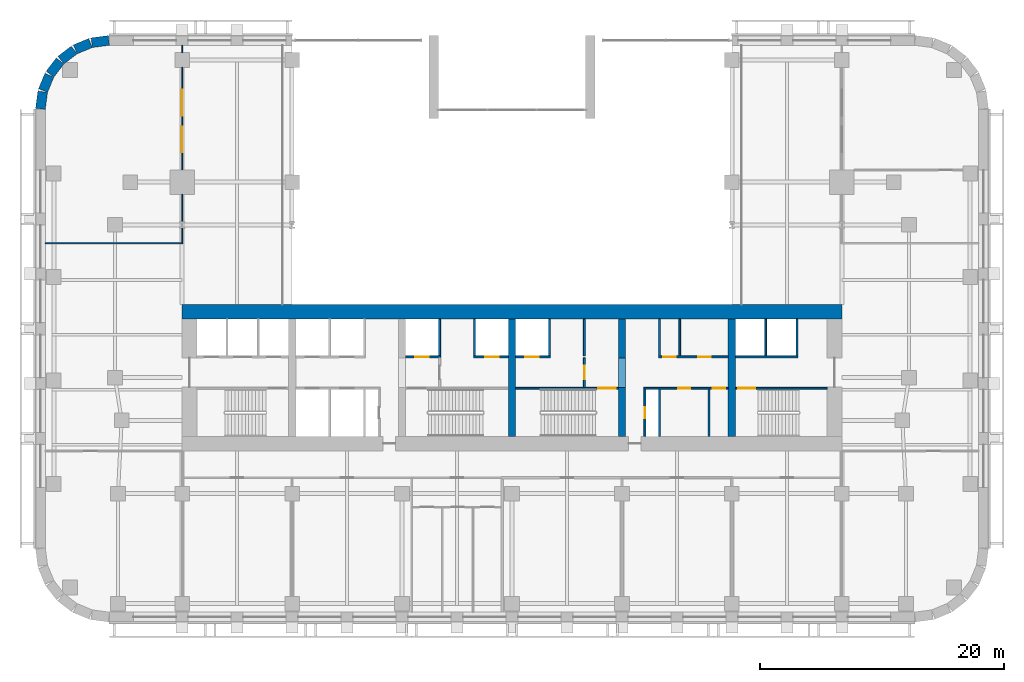
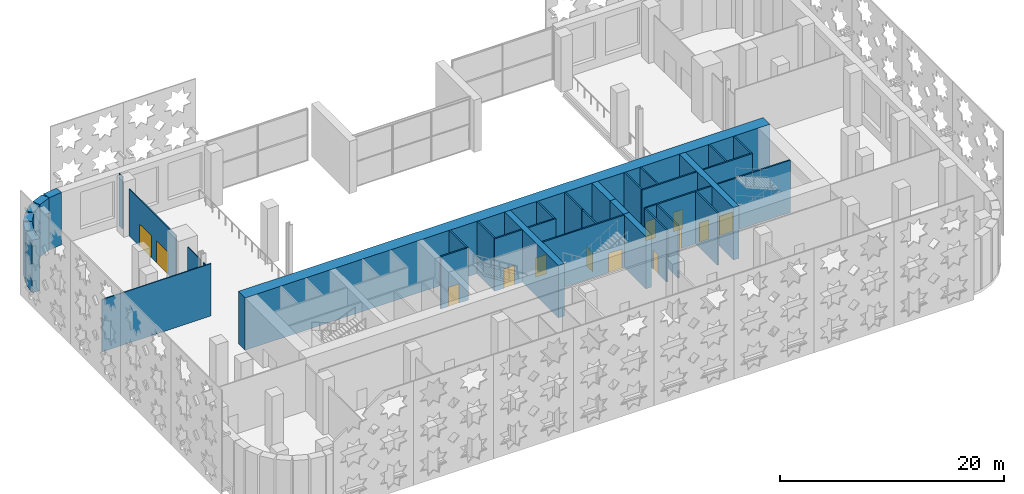
# One storey, part 7 of 17: 37 walls, 13 doors, 13 openings.
"""IFC4 building model written with IfcOpenShell, lengths in metres."""

from ifc_helpers import new_model, si_unit, direction, frame, frame_2d, origin, place, context, subcontext, project, spatial, rectangle, extrude, material, layer, layer_set, type_object, element, fill, save


model = new_model("IFC4")

# Units and contexts
model_context = context("Model", 3, precision=1e-05, world=origin(), true_north=direction((0.0, 1.0)))
body_context = subcontext(model_context, "Body", "Model", "MODEL_VIEW")
ifc_project = project(units=[si_unit("LENGTHUNIT", "METRE"), si_unit("AREAUNIT", "SQUARE_METRE"), si_unit("VOLUMEUNIT", "CUBIC_METRE"), si_unit("PLANEANGLEUNIT", "RADIAN"), si_unit("MASSUNIT", "GRAM", prefix="KILO")], contexts=[model_context])

# Site, building, storey
site_placement = place(None, origin())
site = spatial("IfcSite", under=ifc_project, at=site_placement, CompositionType="ELEMENT")
building_placement = place(site_placement, origin())
building = spatial("IfcBuilding", under=site, at=building_placement, Name="Zellij Exchange Tower", CompositionType="ELEMENT")
storey_placement = place(building_placement, frame((0.0, 0.0, 9.0)))
storey = spatial("IfcBuildingStorey", under=building, at=storey_placement, Name="L01", CompositionType="ELEMENT", Elevation=9.0)

# Walls
ifc_material_1 = material(Name="Concrete C70/85", Category="concrete")
ifc_layer_1 = layer(ifc_material_1, 0.60009765625)
ifc_layer_set_1 = layer_set([ifc_layer_1], Name="Concrete C70/85")
wall_type_1 = type_object("IfcWallType", Name="CORE-CW 600 C70/85", PredefinedType="SHEAR", material=ifc_layer_set_1)
wall_1_placement = place(storey_placement, frame((0.0, -12.800048828125, 0.0), z_axis=(0.0, 0.0, 1.0), x_axis=(0.0, 1.0, 0.0)))
element("IfcWall", 1, at=wall_1_placement, inside=storey, type_object=wall_type_1, Name="Core cross wall x 0 L01", PredefinedType="SHEAR", context=body_context, shape_type="SweptSolid", body=[
    extrude(rectangle(XDim=9.60009765625, YDim=0.60009765625, at=frame_2d((4.800048828125, 0.0))), origin(), (0.0, 0.0, 1.0), 5.699951171875),
])
wall_2_placement = place(storey_placement, frame((9.0, -12.800048828125, 0.0), z_axis=(0.0, 0.0, 1.0), x_axis=(0.0, 1.0, 0.0)))
element("IfcWall", 2, at=wall_2_placement, inside=storey, type_object=wall_type_1, Name="Core cross wall pier x 9 a L01", PredefinedType="SHEAR", context=body_context, shape_type="SweptSolid", body=[
    extrude(rectangle(XDim=4.0, YDim=0.60009765625, at=frame_2d((2.0, 0.0))), origin(), (0.0, 0.0, 1.0), 5.699951171875),
])
wall_3_placement = place(storey_placement, frame((9.0, -6.375, 0.0), z_axis=(0.0, 0.0, 1.0), x_axis=(0.0, 1.0, 0.0)))
element("IfcWall", 3, at=wall_3_placement, inside=storey, type_object=wall_type_1, Name="Core cross wall pier x 9 b L01", PredefinedType="SHEAR", context=body_context, shape_type="SweptSolid", body=[
    extrude(rectangle(XDim=3.175048828125, YDim=0.60009765625, at=frame_2d((1.58740234375, 0.0))), origin(), (0.0, 0.0, 1.0), 5.699951171875),
])
wall_4_placement = place(storey_placement, frame((9.0, -8.800048828125, 3.60009765625), z_axis=(0.0, 0.0, 1.0), x_axis=(0.0, 1.0, 0.0)))
element("IfcWall", 4, at=wall_4_placement, inside=storey, type_object=wall_type_1, Name="Core cross wall over opening x 9 L01", PredefinedType="SHEAR", context=body_context, shape_type="SweptSolid", body=[
    extrude(rectangle(XDim=2.425048828125, YDim=0.60009765625, at=frame_2d((1.21240234375, 0.0))), origin(), (0.0, 0.0, 1.0), 2.099853515625),
])
wall_5_placement = place(storey_placement, frame((18.0, -12.800048828125, 0.0), z_axis=(0.0, 0.0, 1.0), x_axis=(0.0, 1.0, 0.0)))
element("IfcWall", 5, at=wall_5_placement, inside=storey, type_object=wall_type_1, Name="Core cross wall x 18 L01", PredefinedType="SHEAR", context=body_context, shape_type="SweptSolid", body=[
    extrude(rectangle(XDim=9.60009765625, YDim=0.60009765625, at=frame_2d((4.800048828125, 0.0))), origin(), (0.0, 0.0, 1.0), 5.699951171875),
])

# Wall, opening, door
ifc_material_2 = material(Name="Gypsum shaft wall system")
ifc_layer_2 = layer(ifc_material_2, 0.14990234375)
ifc_layer_set_2 = layer_set([ifc_layer_2], Name="Gypsum shaft wall system")
wall_type_2 = type_object("IfcWallType", Name="CORE-PW 150 Firefighting lobby wall", PredefinedType="PARTITIONING", material=ifc_layer_set_2)
wall_6_placement = place(storey_placement, frame((5.925048828125, -8.800048828125, 0.0), z_axis=(0.0, 0.0, 1.0), x_axis=(0.0, 1.0, 0.0)))
wall_6 = element("IfcWall", 6, at=wall_6_placement, inside=storey, type_object=wall_type_2, Name="Firefighting lobby wall L01", PredefinedType="PARTITIONING", context=body_context, shape_type="SweptSolid", body=[
    extrude(rectangle(XDim=2.425048828125, YDim=0.14990234375, at=frame_2d((1.21240234375, 0.0))), origin(), (0.0, 0.0, 1.0), 5.699951171875),
])
opening_1_placement = place(wall_6_placement, frame((0.662109375, 0.0, 0.0)))
opening_1 = element("IfcOpeningElement", 7, at=opening_1_placement, cuts=wall_6, Name="Opening CA-04.17", PredefinedType="OPENING", context=body_context, shape_type="SweptSolid", body=[
    extrude(rectangle(XDim=1.10009765625, YDim=2.10009765625, at=frame_2d((0.550048828125, 1.050048828125))), frame((0.0, 0.0869140625, 0.0), z_axis=(0.0, -1.0, 0.0), x_axis=(1.0, 0.0, 0.0)), (0.0, 0.0, 1.0), 0.173828125),
])
ifc_material_3 = material(Name="Hollow metal fire door")
door_type_1 = type_object("IfcDoorType", Name="CORE-D F Firefighting lobby door 1100x2100 1 HR", OperationType="NOTDEFINED", PredefinedType="DOOR", material=ifc_material_3)
door_1_placement = place(opening_1_placement, origin())
door_1 = element("IfcDoor", 8, at=door_1_placement, inside=storey, type_object=door_type_1, Name="Firefighting lobby door CA-04.17", OperationType="SINGLE_SWING_RIGHT", OverallHeight=2.10009765625, OverallWidth=1.10009765625, PredefinedType="DOOR", context=body_context, shape_type="SweptSolid", body=[
    extrude(rectangle(XDim=1.10009765625, YDim=2.10009765625, at=frame_2d((0.550048828125, 1.050048828125))), frame((0.0, 0.02490234375, 0.0), z_axis=(0.0, -1.0, 0.0), x_axis=(1.0, 0.0, 0.0)), (0.0, 0.0, 1.0), 0.050048828125),
])
fill(opening_1, door_1)

# Walls
ifc_material_4 = material(Name="Gypsum board partition")
ifc_layer_3 = layer(ifc_material_4, 0.14990234375)
ifc_layer_set_3 = layer_set([ifc_layer_3], Name="Gypsum board partition")
wall_type_3 = type_object("IfcWallType", Name="CORE-PW 150 Lift lobby wall", PredefinedType="PARTITIONING", material=ifc_layer_set_3)
for number, where, z_axis, x_axis, name in (
    (9, (5.925048828125, -6.22509765625, 0.0), (0.0, 0.0, 1.0), (0.0, 1.0, 0.0), "Lift lobby wall L01"),
    (10, (12.074951171875, -6.22509765625, 0.0), (0.0, 0.0, 1.0), (0.0, 1.0, 0.0), "Lift lobby wall L01"),
    (11, (13.72509765625, -6.22509765625, 0.0), (0.0, 0.0, 1.0), (0.0, 1.0, 0.0), "Lift lobby wall L01"),
):
    element("IfcWall", number, at=place(storey_placement, frame(where, z_axis=z_axis, x_axis=x_axis)), inside=storey, type_object=wall_type_3, Name=name, PredefinedType="PARTITIONING", context=body_context, shape_type="SweptSolid", body=[
        extrude(rectangle(XDim=3.025146484375, YDim=0.14990234375, at=frame_2d((1.5126953125, 0.0))), origin(), (0.0, 0.0, 1.0), 5.699951171875),
    ])

# Wall, opening, door
wall_7_placement = place(storey_placement, frame((10.875, -12.800048828125, 0.0), z_axis=(0.0, 0.0, 1.0), x_axis=(0.0, 1.0, 0.0)))
wall_7 = element("IfcWall", 12, at=wall_7_placement, inside=storey, type_object=wall_type_3, Name="Lift lobby wall L01", PredefinedType="PARTITIONING", context=body_context, shape_type="SweptSolid", body=[
    extrude(rectangle(XDim=3.85009765625, YDim=0.14990234375, at=frame_2d((1.925048828125, 0.0))), origin(), (0.0, 0.0, 1.0), 5.699951171875),
])
opening_2_placement = place(wall_7_placement, frame((1.47509765625, 0.0, 0.0)))
opening_2 = element("IfcOpeningElement", 13, at=opening_2_placement, cuts=wall_7, Name="Opening CA-04.20", PredefinedType="OPENING", context=body_context, shape_type="SweptSolid", body=[
    extrude(rectangle(XDim=0.89990234375, YDim=2.10009765625, at=frame_2d((0.449951171875, 1.050048828125))), frame((0.0, 0.0869140625, 0.0), z_axis=(0.0, -1.0, 0.0), x_axis=(1.0, 0.0, 0.0)), (0.0, 0.0, 1.0), 0.173828125),
])
door_type_2 = type_object("IfcDoorType", Name="CORE-D RD Riser door 900x2100 1.5 HR", OperationType="NOTDEFINED", PredefinedType="DOOR", material=ifc_material_3)
door_2_placement = place(opening_2_placement, origin())
door_2 = element("IfcDoor", 14, at=door_2_placement, inside=storey, type_object=door_type_2, Name="Riser door CA-04.20", OperationType="SINGLE_SWING_LEFT", OverallHeight=2.10009765625, OverallWidth=0.89990234375, PredefinedType="DOOR", context=body_context, shape_type="SweptSolid", body=[
    extrude(rectangle(XDim=0.89990234375, YDim=2.10009765625, at=frame_2d((0.449951171875, 1.050048828125))), frame((0.0, 0.02490234375, 0.0), z_axis=(0.0, -1.0, 0.0), x_axis=(1.0, 0.0, 0.0)), (0.0, 0.0, 1.0), 0.050048828125),
])
fill(opening_2, door_2)

# Walls
for number, where, z_axis, x_axis, name in (
    (15, (12.074951171875, -12.800048828125, 0.0), (0.0, 0.0, 1.0), (0.0, 1.0, 0.0), "Lift lobby wall L01"),
    (16, (16.125, -12.800048828125, 0.0), (0.0, 0.0, 1.0), (0.0, 1.0, 0.0), "Lift lobby wall L01"),
):
    element("IfcWall", number, at=place(storey_placement, frame(where, z_axis=z_axis, x_axis=x_axis)), inside=storey, type_object=wall_type_3, Name=name, PredefinedType="PARTITIONING", context=body_context, shape_type="SweptSolid", body=[
        extrude(rectangle(XDim=3.85009765625, YDim=0.14990234375, at=frame_2d((1.925048828125, 0.0))), origin(), (0.0, 0.0, 1.0), 5.699951171875),
    ])

# Wall, openings, doors
wall_8_placement = place(storey_placement, frame((12.0, -6.300048828125, 0.0), z_axis=(0.0, 0.0, 1.0), x_axis=(1.0, 0.0, 0.0)))
wall_8 = element("IfcWall", 17, at=wall_8_placement, inside=storey, type_object=wall_type_3, Name="Lift lobby wall L01", PredefinedType="PARTITIONING", context=body_context, shape_type="SweptSolid", body=[
    extrude(rectangle(XDim=5.699951171875, YDim=0.14990234375, at=frame_2d((2.85009765625, 0.0))), origin(), (0.0, 0.0, 1.0), 5.699951171875),
])
opening_3_placement = place(wall_8_placement, frame((0.39990234375, 0.0, 0.0)))
opening_3 = element("IfcOpeningElement", 18, at=opening_3_placement, cuts=wall_8, Name="Opening CA-04.21", PredefinedType="OPENING", context=body_context, shape_type="SweptSolid", body=[
    extrude(rectangle(XDim=1.0, YDim=2.10009765625, at=frame_2d((0.5, 1.050048828125))), frame((0.0, 0.0869140625, 0.0), z_axis=(0.0, -1.0, 0.0), x_axis=(1.0, 0.0, 0.0)), (0.0, 0.0, 1.0), 0.173828125),
])
opening_4_placement = place(wall_8_placement, frame((3.25, 0.0, 0.0)))
opening_4 = element("IfcOpeningElement", 19, at=opening_4_placement, cuts=wall_8, Name="Opening CA-04.23", PredefinedType="OPENING", context=body_context, shape_type="SweptSolid", body=[
    extrude(rectangle(XDim=1.0, YDim=2.10009765625, at=frame_2d((0.5, 1.050048828125))), frame((0.0, 0.0869140625, 0.0), z_axis=(0.0, -1.0, 0.0), x_axis=(1.0, 0.0, 0.0)), (0.0, 0.0, 1.0), 0.173828125),
])
door_type_3 = type_object("IfcDoorType", Name="CORE-D CD Core room door 1000x2100 1 HR", OperationType="NOTDEFINED", PredefinedType="DOOR", material=ifc_material_3)
door_3_placement = place(opening_3_placement, origin())
door_3 = element("IfcDoor", 20, at=door_3_placement, inside=storey, type_object=door_type_3, Name="Core room door CA-04.21", OperationType="SINGLE_SWING_LEFT", OverallHeight=2.10009765625, OverallWidth=1.0, PredefinedType="DOOR", context=body_context, shape_type="SweptSolid", body=[
    extrude(rectangle(XDim=1.0, YDim=2.10009765625, at=frame_2d((0.5, 1.050048828125))), frame((0.0, 0.02490234375, 0.0), z_axis=(0.0, -1.0, 0.0), x_axis=(1.0, 0.0, 0.0)), (0.0, 0.0, 1.0), 0.050048828125),
])
fill(opening_3, door_3)
door_4_placement = place(opening_4_placement, origin())
door_4 = element("IfcDoor", 21, at=door_4_placement, inside=storey, type_object=door_type_3, Name="Core room door CA-04.23", OperationType="SINGLE_SWING_RIGHT", OverallHeight=2.10009765625, OverallWidth=1.0, PredefinedType="DOOR", context=body_context, shape_type="SweptSolid", body=[
    extrude(rectangle(XDim=1.0, YDim=2.10009765625, at=frame_2d((0.5, 1.050048828125))), frame((0.0, 0.02490234375, 0.0), z_axis=(0.0, -1.0, 0.0), x_axis=(1.0, 0.0, 0.0)), (0.0, 0.0, 1.0), 0.050048828125),
])
fill(opening_4, door_4)

wall_9_placement = place(storey_placement, frame((10.800048828125, -8.875, 0.0), z_axis=(0.0, 0.0, 1.0), x_axis=(1.0, 0.0, 0.0)))
wall_9 = element("IfcWall", 22, at=wall_9_placement, inside=storey, type_object=wall_type_3, Name="Lift lobby wall L01", PredefinedType="PARTITIONING", context=body_context, shape_type="SweptSolid", body=[
    extrude(rectangle(XDim=6.89990234375, YDim=0.14990234375, at=frame_2d((3.449951171875, 0.0))), origin(), (0.0, 0.0, 1.0), 5.699951171875),
])
opening_5_placement = place(wall_9_placement, frame((2.800048828125, 0.0, 0.0)))
opening_5 = element("IfcOpeningElement", 23, at=opening_5_placement, cuts=wall_9, Name="Opening CA-04.22", PredefinedType="OPENING", context=body_context, shape_type="SweptSolid", body=[
    extrude(rectangle(XDim=1.0, YDim=2.10009765625, at=frame_2d((0.5, 1.050048828125))), frame((0.0, 0.0869140625, 0.0), z_axis=(0.0, -1.0, 0.0), x_axis=(1.0, 0.0, 0.0)), (0.0, 0.0, 1.0), 0.173828125),
])
opening_6_placement = place(wall_9_placement, frame((5.64990234375, 0.0, 0.0)))
opening_6 = element("IfcOpeningElement", 24, at=opening_6_placement, cuts=wall_9, Name="Opening CA-04.24", PredefinedType="OPENING", context=body_context, shape_type="SweptSolid", body=[
    extrude(rectangle(XDim=1.0, YDim=2.10009765625, at=frame_2d((0.5, 1.050048828125))), frame((0.0, 0.0869140625, 0.0), z_axis=(0.0, -1.0, 0.0), x_axis=(1.0, 0.0, 0.0)), (0.0, 0.0, 1.0), 0.173828125),
])
door_5_placement = place(opening_5_placement, origin())
door_5 = element("IfcDoor", 25, at=door_5_placement, inside=storey, type_object=door_type_3, Name="Core room door CA-04.22", OperationType="SINGLE_SWING_RIGHT", OverallHeight=2.10009765625, OverallWidth=1.0, PredefinedType="DOOR", context=body_context, shape_type="SweptSolid", body=[
    extrude(rectangle(XDim=1.0, YDim=2.10009765625, at=frame_2d((0.5, 1.050048828125))), frame((0.0, 0.02490234375, 0.0), z_axis=(0.0, -1.0, 0.0), x_axis=(1.0, 0.0, 0.0)), (0.0, 0.0, 1.0), 0.050048828125),
])
fill(opening_5, door_5)
door_6_placement = place(opening_6_placement, origin())
door_6 = element("IfcDoor", 26, at=door_6_placement, inside=storey, type_object=door_type_3, Name="Core room door CA-04.24", OperationType="SINGLE_SWING_LEFT", OverallHeight=2.10009765625, OverallWidth=1.0, PredefinedType="DOOR", context=body_context, shape_type="SweptSolid", body=[
    extrude(rectangle(XDim=1.0, YDim=2.10009765625, at=frame_2d((0.5, 1.050048828125))), frame((0.0, 0.02490234375, 0.0), z_axis=(0.0, -1.0, 0.0), x_axis=(1.0, 0.0, 0.0)), (0.0, 0.0, 1.0), 0.050048828125),
])
fill(opening_6, door_6)

# Walls
ifc_layer_4 = layer(ifc_material_2, 0.14990234375)
ifc_layer_set_4 = layer_set([ifc_layer_4], Name="Gypsum shaft wall system")
wall_type_4 = type_object("IfcWallType", Name="CORE-PW 150 Lift shaft wall", PredefinedType="PARTITIONING", material=ifc_layer_set_4)
for number, where, z_axis, x_axis, name in (
    (27, (-3.074951171875, -6.22509765625, 0.0), (0.0, 0.0, 1.0), (0.0, 1.0, 0.0), "Lift shaft wall L01"),
    (28, (-5.925048828125, -6.22509765625, 0.0), (0.0, 0.0, 1.0), (0.0, 1.0, 0.0), "Lift shaft wall L01"),
    (29, (3.074951171875, -6.22509765625, 0.0), (0.0, 0.0, 1.0), (0.0, 1.0, 0.0), "Lift shaft wall L01"),
    (30, (20.77490234375, -6.22509765625, 0.0), (0.0, 0.0, 1.0), (0.0, 1.0, 0.0), "Lift shaft wall L01"),
    (31, (23.324951171875, -6.22509765625, 0.0), (0.0, 0.0, 1.0), (0.0, 1.0, 0.0), "Lift shaft wall L01"),
):
    element("IfcWall", number, at=place(storey_placement, frame(where, z_axis=z_axis, x_axis=x_axis)), inside=storey, type_object=wall_type_4, Name=name, PredefinedType="PARTITIONING", context=body_context, shape_type="SweptSolid", body=[
        extrude(rectangle(XDim=3.025146484375, YDim=0.14990234375, at=frame_2d((1.5126953125, 0.0))), origin(), (0.0, 0.0, 1.0), 5.699951171875),
    ])

# Wall, opening, door
wall_10_placement = place(storey_placement, frame((-8.699951171875, -6.300048828125, 0.0), z_axis=(0.0, 0.0, 1.0), x_axis=(1.0, 0.0, 0.0)))
wall_10 = element("IfcWall", 32, at=wall_10_placement, inside=storey, type_object=wall_type_4, Name="Lift shaft wall L01", PredefinedType="PARTITIONING", context=body_context, shape_type="SweptSolid", body=[
    extrude(rectangle(XDim=2.849853515625, YDim=0.14990234375, at=frame_2d((1.4248046875, 0.0))), origin(), (0.0, 0.0, 1.0), 5.699951171875),
])
opening_7_placement = place(wall_10_placement, frame((0.800048828125, 0.0, 0.0)))
opening_7 = element("IfcOpeningElement", 33, at=opening_7_placement, cuts=wall_10, Name="Opening CA-04.13", PredefinedType="OPENING", context=body_context, shape_type="SweptSolid", body=[
    extrude(rectangle(XDim=1.10009765625, YDim=2.10009765625, at=frame_2d((0.550048828125, 1.050048828125))), frame((0.0, 0.0869140625, 0.0), z_axis=(0.0, -1.0, 0.0), x_axis=(1.0, 0.0, 0.0)), (0.0, 0.0, 1.0), 0.173828125),
])
door_type_4 = type_object("IfcDoorType", Name="CORE-D LD Lift landing door 1100x2100 1.5 HR", OperationType="NOTDEFINED", PredefinedType="DOOR", material=ifc_material_3)
door_7_placement = place(opening_7_placement, origin())
door_7 = element("IfcDoor", 34, at=door_7_placement, inside=storey, type_object=door_type_4, Name="Lift landing door CA-04.13", OperationType="SLIDING_TO_LEFT", OverallHeight=2.10009765625, OverallWidth=1.10009765625, PredefinedType="DOOR", context=body_context, shape_type="SweptSolid", body=[
    extrude(rectangle(XDim=1.10009765625, YDim=2.10009765625, at=frame_2d((0.550048828125, 1.050048828125))), frame((0.0, 0.02490234375, 0.0), z_axis=(0.0, -1.0, 0.0), x_axis=(1.0, 0.0, 0.0)), (0.0, 0.0, 1.0), 0.050048828125),
])
fill(opening_7, door_7)

wall_11_placement = place(storey_placement, frame((-3.14990234375, -6.300048828125, 0.0), z_axis=(0.0, 0.0, 1.0), x_axis=(1.0, 0.0, 0.0)))
wall_11 = element("IfcWall", 35, at=wall_11_placement, inside=storey, type_object=wall_type_4, Name="Lift shaft wall L01", PredefinedType="PARTITIONING", context=body_context, shape_type="SweptSolid", body=[
    extrude(rectangle(XDim=2.849853515625, YDim=0.14990234375, at=frame_2d((1.4248046875, 0.0))), origin(), (0.0, 0.0, 1.0), 5.699951171875),
])
opening_8_placement = place(wall_11_placement, frame((0.949951171875, 0.0, 0.0)))
opening_8 = element("IfcOpeningElement", 36, at=opening_8_placement, cuts=wall_11, Name="Opening CA-04.15", PredefinedType="OPENING", context=body_context, shape_type="SweptSolid", body=[
    extrude(rectangle(XDim=1.10009765625, YDim=2.10009765625, at=frame_2d((0.550048828125, 1.050048828125))), frame((0.0, 0.0869140625, 0.0), z_axis=(0.0, -1.0, 0.0), x_axis=(1.0, 0.0, 0.0)), (0.0, 0.0, 1.0), 0.173828125),
])
door_8_placement = place(opening_8_placement, origin())
door_8 = element("IfcDoor", 37, at=door_8_placement, inside=storey, type_object=door_type_4, Name="Lift landing door CA-04.15", OperationType="SLIDING_TO_LEFT", OverallHeight=2.10009765625, OverallWidth=1.10009765625, PredefinedType="DOOR", context=body_context, shape_type="SweptSolid", body=[
    extrude(rectangle(XDim=1.10009765625, YDim=2.10009765625, at=frame_2d((0.550048828125, 1.050048828125))), frame((0.0, 0.02490234375, 0.0), z_axis=(0.0, -1.0, 0.0), x_axis=(1.0, 0.0, 0.0)), (0.0, 0.0, 1.0), 0.050048828125),
])
fill(opening_8, door_8)

wall_12_placement = place(storey_placement, frame((0.300048828125, -6.300048828125, 0.0), z_axis=(0.0, 0.0, 1.0), x_axis=(1.0, 0.0, 0.0)))
wall_12 = element("IfcWall", 38, at=wall_12_placement, inside=storey, type_object=wall_type_4, Name="Lift shaft wall L01", PredefinedType="PARTITIONING", context=body_context, shape_type="SweptSolid", body=[
    extrude(rectangle(XDim=2.849853515625, YDim=0.14990234375, at=frame_2d((1.4248046875, 0.0))), origin(), (0.0, 0.0, 1.0), 5.699951171875),
])
opening_9_placement = place(wall_12_placement, frame((0.800048828125, 0.0, 0.0)))
opening_9 = element("IfcOpeningElement", 39, at=opening_9_placement, cuts=wall_12, Name="Opening CA-04.16", PredefinedType="OPENING", context=body_context, shape_type="SweptSolid", body=[
    extrude(rectangle(XDim=1.10009765625, YDim=2.10009765625, at=frame_2d((0.550048828125, 1.050048828125))), frame((0.0, 0.0869140625, 0.0), z_axis=(0.0, -1.0, 0.0), x_axis=(1.0, 0.0, 0.0)), (0.0, 0.0, 1.0), 0.173828125),
])
door_9_placement = place(opening_9_placement, origin())
door_9 = element("IfcDoor", 40, at=door_9_placement, inside=storey, type_object=door_type_4, Name="Lift landing door CA-04.16", OperationType="SLIDING_TO_RIGHT", OverallHeight=2.10009765625, OverallWidth=1.10009765625, PredefinedType="DOOR", context=body_context, shape_type="SweptSolid", body=[
    extrude(rectangle(XDim=1.10009765625, YDim=2.10009765625, at=frame_2d((0.550048828125, 1.050048828125))), frame((0.0, 0.02490234375, 0.0), z_axis=(0.0, -1.0, 0.0), x_axis=(1.0, 0.0, 0.0)), (0.0, 0.0, 1.0), 0.050048828125),
])
fill(opening_9, door_9)

# Walls
wall_13_placement = place(storey_placement, frame((18.300048828125, -6.300048828125, 0.0), z_axis=(0.0, 0.0, 1.0), x_axis=(1.0, 0.0, 0.0)))
element("IfcWall", 41, at=wall_13_placement, inside=storey, type_object=wall_type_4, Name="Lift shaft wall L01", PredefinedType="PARTITIONING", context=body_context, shape_type="SweptSolid", body=[
    extrude(rectangle(XDim=5.099853515625, YDim=0.14990234375, at=frame_2d((2.5498046875, 0.0))), origin(), (0.0, 0.0, 1.0), 5.699951171875),
])
ifc_layer_5 = layer(ifc_material_1, 1.199951171875)
ifc_layer_set_5 = layer_set([ifc_layer_5], Name="Concrete C70/85")
wall_type_5 = type_object("IfcWallType", Name="CORE-SW 1200 C70/85", PredefinedType="SHEAR", material=ifc_layer_set_5)
wall_14_placement = place(storey_placement, frame((-27.0, -2.60009765625, 0.0), z_axis=(0.0, 0.0, 1.0), x_axis=(1.0, 0.0, 0.0)))
element("IfcWall", 42, at=wall_14_placement, inside=storey, type_object=wall_type_5, Name="Core shear wall front L01", PredefinedType="SHEAR", context=body_context, shape_type="SweptSolid", body=[
    extrude(rectangle(XDim=54.0, YDim=1.199951171875, at=frame_2d((27.0, 0.0))), origin(), (0.0, 0.0, 1.0), 5.699951171875),
])

# Wall, opening, door
ifc_layer_6 = layer(ifc_material_1, 0.14990234375)
ifc_layer_set_6 = layer_set([ifc_layer_6], Name="Concrete C70/85")
wall_type_6 = type_object("IfcWallType", Name="CORE-SWS 150 C70/85", PredefinedType="SHEAR", material=ifc_layer_set_6)
wall_15_placement = place(storey_placement, frame((0.300048828125, -8.875, 0.0), z_axis=(0.0, 0.0, 1.0), x_axis=(1.0, 0.0, 0.0)))
wall_15 = element("IfcWall", 43, at=wall_15_placement, inside=storey, type_object=wall_type_6, Name="Stair enclosure wall L01", PredefinedType="SHEAR", context=body_context, shape_type="SweptSolid", body=[
    extrude(rectangle(XDim=8.39990234375, YDim=0.14990234375, at=frame_2d((4.199951171875, 0.0))), origin(), (0.0, 0.0, 1.0), 5.699951171875),
])
opening_10_placement = place(wall_15_placement, frame((6.77490234375, 0.0, 0.0)))
opening_10 = element("IfcOpeningElement", 44, at=opening_10_placement, cuts=wall_15, Name="Opening CA-04.18", PredefinedType="OPENING", context=body_context, shape_type="SweptSolid", body=[
    extrude(rectangle(XDim=1.39990234375, YDim=2.10009765625, at=frame_2d((0.699951171875, 1.050048828125))), frame((0.0, 0.0869140625, 0.0), z_axis=(0.0, -1.0, 0.0), x_axis=(1.0, 0.0, 0.0)), (0.0, 0.0, 1.0), 0.173828125),
])
door_type_5 = type_object("IfcDoorType", Name="CORE-D SD Stair door 1400x2100 1.5 HR", OperationType="NOTDEFINED", PredefinedType="DOOR", material=ifc_material_3)
door_10_placement = place(opening_10_placement, origin())
door_10 = element("IfcDoor", 45, at=door_10_placement, inside=storey, type_object=door_type_5, Name="Stair door CA-04.18", OperationType="DOUBLE_DOOR_SINGLE_SWING", OverallHeight=2.10009765625, OverallWidth=1.39990234375, PredefinedType="DOOR", context=body_context, shape_type="SweptSolid", body=[
    extrude(rectangle(XDim=1.39990234375, YDim=2.10009765625, at=frame_2d((0.699951171875, 1.050048828125))), frame((0.0, 0.02490234375, 0.0), z_axis=(0.0, -1.0, 0.0), x_axis=(1.0, 0.0, 0.0)), (0.0, 0.0, 1.0), 0.050048828125),
])
fill(opening_10, door_10)

wall_16_placement = place(storey_placement, frame((18.300048828125, -8.875, 0.0), z_axis=(0.0, 0.0, 1.0), x_axis=(1.0, 0.0, 0.0)))
wall_16 = element("IfcWall", 46, at=wall_16_placement, inside=storey, type_object=wall_type_6, Name="Stair enclosure wall L01", PredefinedType="SHEAR", context=body_context, shape_type="SweptSolid", body=[
    extrude(rectangle(XDim=7.5, YDim=0.14990234375, at=frame_2d((3.75, 0.0))), origin(), (0.0, 0.0, 1.0), 5.699951171875),
])
opening_11_placement = place(wall_16_placement, frame((0.22509765625, 0.0, 0.0)))
opening_11 = element("IfcOpeningElement", 47, at=opening_11_placement, cuts=wall_16, Name="Opening CA-04.25", PredefinedType="OPENING", context=body_context, shape_type="SweptSolid", body=[
    extrude(rectangle(XDim=1.39990234375, YDim=2.10009765625, at=frame_2d((0.699951171875, 1.050048828125))), frame((0.0, 0.0869140625, 0.0), z_axis=(0.0, -1.0, 0.0), x_axis=(1.0, 0.0, 0.0)), (0.0, 0.0, 1.0), 0.173828125),
])
door_11_placement = place(opening_11_placement, origin())
door_11 = element("IfcDoor", 48, at=door_11_placement, inside=storey, type_object=door_type_5, Name="Stair door CA-04.25", OperationType="DOUBLE_DOOR_SINGLE_SWING", OverallHeight=2.10009765625, OverallWidth=1.39990234375, PredefinedType="DOOR", context=body_context, shape_type="SweptSolid", body=[
    extrude(rectangle(XDim=1.39990234375, YDim=2.10009765625, at=frame_2d((0.699951171875, 1.050048828125))), frame((0.0, 0.02490234375, 0.0), z_axis=(0.0, -1.0, 0.0), x_axis=(1.0, 0.0, 0.0)), (0.0, 0.0, 1.0), 0.050048828125),
])
fill(opening_11, door_11)

# Walls
ifc_material_5 = material(Name="Precast concrete C40/50", Category="concrete")
ifc_layer_7 = layer(ifc_material_5, 0.800048828125)
ifc_layer_set_7 = layer_set([ifc_layer_7], Name="Precast concrete C40/50")
wall_type_7 = type_object("IfcWallType", Name="ENV-EW1 Precast stone-piered wall 800", PredefinedType="SOLIDWALL", material=ifc_layer_set_7)
wall_17_placement = place(storey_placement, frame((-32.999755859375, 19.5966796875, 0.0), z_axis=(0.0, 0.0, 1.0), x_axis=(-0.99144603414, -0.130517283865, 0.0)))
element("IfcWall", 49, at=wall_17_placement, inside=storey, type_object=wall_type_7, Name="fac.L01.15", PredefinedType="SOLIDWALL", context=body_context, shape_type="SweptSolid", body=[
    extrude(rectangle(XDim=1.408447265625, YDim=0.800048828125, at=frame_2d((0.7041015625, 0.0))), origin(), (0.0, 0.0, 1.0), 5.699951171875),
])
wall_18_placement = place(storey_placement, frame((-34.497314453125, 19.3857421875, 0.0), z_axis=(0.0, 0.0, 1.0), x_axis=(-0.923847774587, -0.38276009378, 0.0)))
element("IfcWall", 50, at=wall_18_placement, inside=storey, type_object=wall_type_7, Name="fac.L01.16", PredefinedType="SOLIDWALL", context=body_context, shape_type="SweptSolid", body=[
    extrude(rectangle(XDim=1.35546875, YDim=0.800048828125, at=frame_2d((0.677734375, 0.0))), origin(), (0.0, 0.0, 1.0), 5.699951171875),
])
for number, where, z_axis, x_axis, name in (
    (51, (-35.840087890625, 18.814697265625, 0.0), (0.0, 0.0, 1.0), (-0.793272915452, -0.608866226366, 0.0), "fac.L01.17"),
    (52, (-36.9892578125, 17.91552734375, 0.0), (0.0, 0.0, 1.0), (-0.608866226366, -0.793272915452, 0.0), "fac.L01.18"),
):
    element("IfcWall", number, at=place(storey_placement, frame(where, z_axis=z_axis, x_axis=x_axis)), inside=storey, type_object=wall_type_7, Name=name, PredefinedType="SOLIDWALL", context=body_context, shape_type="SweptSolid", body=[
        extrude(rectangle(XDim=1.355712890625, YDim=0.800048828125, at=frame_2d((0.677734375, 0.0))), origin(), (0.0, 0.0, 1.0), 5.699951171875),
    ])
wall_19_placement = place(storey_placement, frame((-37.866943359375, 16.74951171875, 0.0), z_axis=(0.0, 0.0, 1.0), x_axis=(-0.38276009378, -0.923847774587, 0.0)))
element("IfcWall", 53, at=wall_19_placement, inside=storey, type_object=wall_type_7, Name="fac.L01.19", PredefinedType="SOLIDWALL", context=body_context, shape_type="SweptSolid", body=[
    extrude(rectangle(XDim=1.35546875, YDim=0.800048828125, at=frame_2d((0.677734375, 0.0))), origin(), (0.0, 0.0, 1.0), 5.699951171875),
])
wall_20_placement = place(storey_placement, frame((-38.412841796875, 15.396240234375, 0.0), z_axis=(0.0, 0.0, 1.0), x_axis=(-0.130517283865, -0.99144603414, 0.0)))
element("IfcWall", 54, at=wall_20_placement, inside=storey, type_object=wall_type_7, Name="fac.L01.20", PredefinedType="SOLIDWALL", context=body_context, shape_type="SweptSolid", body=[
    extrude(rectangle(XDim=1.408447265625, YDim=0.800048828125, at=frame_2d((0.7041015625, 0.0))), origin(), (0.0, 0.0, 1.0), 5.699951171875),
])
ifc_material_6 = material(Name="Gypsum board partition on steel studs", Category="steel")
ifc_layer_8 = layer(ifc_material_6, 0.10009765625)
ifc_layer_set_8 = layer_set([ifc_layer_8], Name="Gypsum board partition on steel studs")
wall_type_8 = type_object("IfcWallType", Name="FIT-PARTITION-100", PredefinedType="PARTITIONING", material=ifc_layer_set_8)
wall_21_placement = place(storey_placement, frame((-38.199951171875, 3.0, 0.0), z_axis=(0.0, 0.0, 1.0), x_axis=(1.0, 0.0, 0.0)))
element("IfcWall", 55, at=wall_21_placement, inside=storey, type_object=wall_type_8, Name="FIT-PARTITION-100 022", PredefinedType="PARTITIONING", context=body_context, shape_type="SweptSolid", body=[
    extrude(rectangle(XDim=11.25, YDim=0.10009765625, at=frame_2d((5.625, 0.0))), origin(), (0.0, 0.0, 1.0), 5.699951171875),
])
wall_22_placement = place(storey_placement, frame((-27.0, 3.050048828125, 0.0), z_axis=(0.0, 0.0, 1.0), x_axis=(0.0, 1.0, 0.0)))
element("IfcWall", 56, at=wall_22_placement, inside=storey, type_object=wall_type_8, Name="FIT-PARTITION-100 023", PredefinedType="PARTITIONING", context=body_context, shape_type="SweptSolid", body=[
    extrude(rectangle(XDim=1.16552734375, YDim=0.10009765625, at=frame_2d((0.582763671875, 0.0))), origin(), (0.0, 0.0, 1.0), 5.087890625),
])
wall_23_placement = place(storey_placement, frame((-27.0, 4.784423828125, 0.0), z_axis=(0.0, 0.0, 1.0), x_axis=(0.0, 1.0, 0.0)))
element("IfcWall", 57, at=wall_23_placement, inside=storey, type_object=wall_type_8, Name="FIT-PARTITION-100 024", PredefinedType="PARTITIONING", context=body_context, shape_type="SweptSolid", body=[
    extrude(rectangle(XDim=2.215576171875, YDim=0.10009765625, at=frame_2d((1.10791015625, 0.0))), origin(), (0.0, 0.0, 1.0), 5.087890625),
])

# Wall, openings, doors
wall_24_placement = place(storey_placement, frame((-27.0, 9.0, 0.0), z_axis=(0.0, 0.0, 1.0), x_axis=(0.0, 1.0, 0.0)))
wall_24 = element("IfcWall", 58, at=wall_24_placement, inside=storey, type_object=wall_type_8, Name="FIT-PARTITION-100 025", PredefinedType="PARTITIONING", context=body_context, shape_type="SweptSolid", body=[
    extrude(rectangle(XDim=8.39990234375, YDim=0.10009765625, at=frame_2d((4.199951171875, 0.0))), origin(), (0.0, 0.0, 1.0), 5.087890625),
])
opening_12_placement = place(wall_24_placement, frame((1.449951171875, 0.0, 0.0)))
opening_12 = element("IfcOpeningElement", 59, at=opening_12_placement, cuts=wall_24, Name="Opening P1.13", PredefinedType="OPENING", context=body_context, shape_type="SweptSolid", body=[
    extrude(rectangle(XDim=2.10009765625, YDim=2.39990234375, at=frame_2d((1.050048828125, 1.199951171875))), frame((0.0, 0.06201171875, 0.0), z_axis=(0.0, -1.0, 0.0), x_axis=(1.0, 0.0, 0.0)), (0.0, 0.0, 1.0), 0.1240234375),
])
opening_13_placement = place(wall_24_placement, frame((4.449951171875, 0.0, 0.0)))
opening_13 = element("IfcOpeningElement", 60, at=opening_13_placement, cuts=wall_24, Name="Opening P1.15", PredefinedType="OPENING", context=body_context, shape_type="SweptSolid", body=[
    extrude(rectangle(XDim=2.10009765625, YDim=2.39990234375, at=frame_2d((1.050048828125, 1.199951171875))), frame((0.0, 0.06201171875, 0.0), z_axis=(0.0, -1.0, 0.0), x_axis=(1.0, 0.0, 0.0)), (0.0, 0.0, 1.0), 0.1240234375),
])
ifc_material_7 = material(Name="Timber door set", Category="wood")
door_type_6 = type_object("IfcDoorType", Name="FIT-D7-ASSEMBLY-2100X2400", OperationType="DOUBLE_DOOR_SINGLE_SWING", PredefinedType="DOOR", material=ifc_material_7)
door_12_placement = place(opening_12_placement, origin())
door_12 = element("IfcDoor", 61, at=door_12_placement, inside=storey, type_object=door_type_6, Name="Door P1.13", OperationType="DOUBLE_DOOR_SINGLE_SWING", OverallHeight=2.39990234375, OverallWidth=2.10009765625, PredefinedType="DOOR", context=body_context, shape_type="SweptSolid", body=[
    extrude(rectangle(XDim=2.10009765625, YDim=2.39990234375, at=frame_2d((1.050048828125, 1.199951171875))), frame((0.0, 0.02490234375, 0.0), z_axis=(0.0, -1.0, 0.0), x_axis=(1.0, 0.0, 0.0)), (0.0, 0.0, 1.0), 0.050048828125),
])
fill(opening_12, door_12)
door_13_placement = place(opening_13_placement, origin())
door_13 = element("IfcDoor", 62, at=door_13_placement, inside=storey, type_object=door_type_6, Name="Door P1.15", OperationType="DOUBLE_DOOR_SINGLE_SWING", OverallHeight=2.39990234375, OverallWidth=2.10009765625, PredefinedType="DOOR", context=body_context, shape_type="SweptSolid", body=[
    extrude(rectangle(XDim=2.10009765625, YDim=2.39990234375, at=frame_2d((1.050048828125, 1.199951171875))), frame((0.0, 0.02490234375, 0.0), z_axis=(0.0, -1.0, 0.0), x_axis=(1.0, 0.0, 0.0)), (0.0, 0.0, 1.0), 0.050048828125),
])
fill(opening_13, door_13)

# Wall
wall_25_placement = place(storey_placement, frame((-27.0, 18.60009765625, 0.0), z_axis=(0.0, 0.0, 1.0), x_axis=(0.0, 1.0, 0.0)))
element("IfcWall", 63, at=wall_25_placement, inside=storey, type_object=wall_type_8, Name="FIT-PARTITION-100 026", PredefinedType="PARTITIONING", context=body_context, shape_type="SweptSolid", body=[
    extrude(rectangle(XDim=0.599853515625, YDim=0.10009765625, at=frame_2d((0.2998046875, 0.0))), origin(), (0.0, 0.0, 1.0), 5.699951171875),
])

save(model, "model.ifc")
